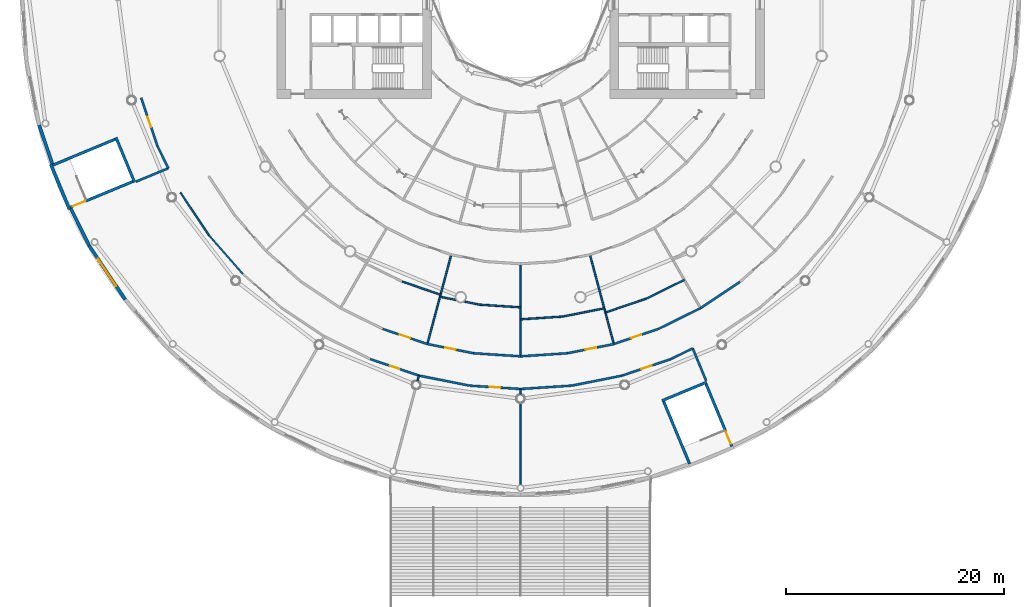
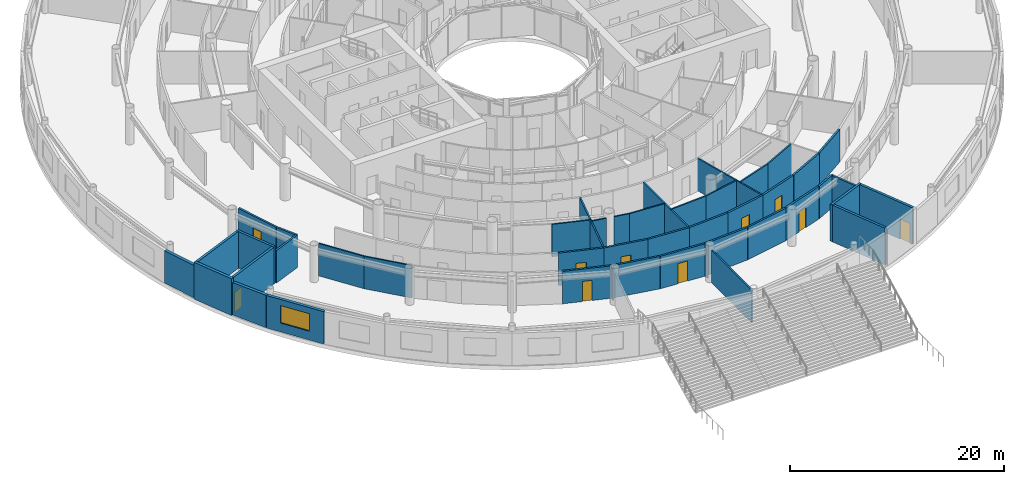
# One storey, part 13 of 29: 45 walls, 10 doors, 1 window, 11 openings.
"""IFC4 building model written with IfcOpenShell, lengths in metres."""

from ifc_helpers import new_model, si_unit, direction, frame, frame_2d, origin, place, context, subcontext, project, spatial, rectangle, extrude, material, layer, layer_set, type_object, element, fill, save


model = new_model("IFC4")

# Units and contexts
model_context = context("Model", 3, precision=1e-05, world=origin(), true_north=direction((0.0, 1.0)))
body_context = subcontext(model_context, "Body", "Model", "MODEL_VIEW")
ifc_project = project(units=[si_unit("LENGTHUNIT", "METRE"), si_unit("AREAUNIT", "SQUARE_METRE"), si_unit("VOLUMEUNIT", "CUBIC_METRE"), si_unit("PLANEANGLEUNIT", "RADIAN"), si_unit("MASSUNIT", "GRAM", prefix="KILO")], contexts=[model_context])

# Site, building, storey
site_placement = place(None, origin())
site = spatial("IfcSite", under=ifc_project, at=site_placement, CompositionType="ELEMENT")
building_placement = place(site_placement, origin())
building = spatial("IfcBuilding", under=site, at=building_placement, Name="Maasbend Ring Residences", CompositionType="ELEMENT")
storey_placement = place(building_placement, frame((0.0, 0.0, 5.39990234375)))
storey = spatial("IfcBuildingStorey", under=building, at=storey_placement, Name="L01", CompositionType="ELEMENT", Elevation=5.39990234375)

# Wall, opening, door
ifc_material_1 = material(Name="Concrete C70/85", Category="concrete")
ifc_layer_1 = layer(ifc_material_1, 0.25)
ifc_layer_set_1 = layer_set([ifc_layer_1], Name="Concrete C70/85")
wall_type_1 = type_object("IfcWallType", Name="CORE WALL 250 C70/85", PredefinedType="SHEAR", material=ifc_layer_set_1)
wall_1_placement = place(storey_placement, frame((19.40966796875, -41.37158203125, 0.0), z_axis=(0.0, 0.0, 1.0), x_axis=(-0.382666023753, 0.923886743203, 0.0)))
wall_1 = element("IfcWall", 1, at=wall_1_placement, inside=storey, type_object=wall_type_1, Name="L01 ST-P2 enclosure wall WS+", PredefinedType="SHEAR", context=body_context, shape_type="SweptSolid", body=[
    extrude(rectangle(XDim=6.4501953125, YDim=0.25, at=frame_2d((3.22509765625, 0.0))), origin(), (0.0, 0.0, 1.0), 4.2001953125),
])
opening_1_placement = place(wall_1_placement, frame((0.25, 0.0, 0.0)))
opening_1 = element("IfcOpeningElement", 2, at=opening_1_placement, cuts=wall_1, Name="Opening D-P201S", PredefinedType="OPENING", context=body_context, shape_type="SweptSolid", body=[
    extrude(rectangle(XDim=1.199951171875, YDim=2.300048828125, at=frame_2d((0.60009765625, 1.14990234375))), frame((0.0, 0.135009765625, 0.0), z_axis=(0.0, -1.0, 0.0), x_axis=(1.0, 0.0, 0.0)), (0.0, 0.0, 1.0), 0.27001953125),
])
ifc_material_2 = material(Name="Steel, powder coated", Category="steel")
door_type_1 = type_object("IfcDoorType", Name="STAIR DOOR 1200 X 2300 FD60", OperationType="NOTDEFINED", PredefinedType="DOOR", material=ifc_material_2)
door_1_placement = place(opening_1_placement, origin())
door_1 = element("IfcDoor", 3, at=door_1_placement, inside=storey, type_object=door_type_1, Name="Stair door ST-P2 L01", OperationType="SINGLE_SWING_RIGHT", OverallHeight=2.300048828125, OverallWidth=1.199951171875, PredefinedType="DOOR", context=body_context, shape_type="SweptSolid", body=[
    extrude(rectangle(XDim=1.199951171875, YDim=2.300048828125, at=frame_2d((0.60009765625, 1.14990234375))), frame((0.0, 0.02490234375, 0.0), z_axis=(0.0, -1.0, 0.0), x_axis=(1.0, 0.0, 0.0)), (0.0, 0.0, 1.0), 0.050048828125),
])
fill(opening_1, door_1)

# Walls
wall_2_placement = place(storey_placement, frame((13.06103515625, -37.019775390625, 0.0), z_axis=(0.0, 0.0, 1.0), x_axis=(0.38267940576, -0.923881200375, 0.0)))
element("IfcWall", 4, at=wall_2_placement, inside=storey, type_object=wall_type_1, Name="L01 ST-P2 enclosure wall WS-", PredefinedType="SHEAR", context=body_context, shape_type="SweptSolid", body=[
    extrude(rectangle(XDim=6.449951171875, YDim=0.25, at=frame_2d((3.22509765625, 0.0))), origin(), (0.0, 0.0, 1.0), 4.2001953125),
])
wall_3_placement = place(storey_placement, frame((12.993408203125, -37.18310546875, 0.0), z_axis=(0.0, 0.0, 1.0), x_axis=(0.923867048273, 0.382713570591, 0.0)))
element("IfcWall", 5, at=wall_3_placement, inside=storey, type_object=wall_type_1, Name="L01 ST-P2 enclosure wall WIN", PredefinedType="SHEAR", context=body_context, shape_type="SweptSolid", body=[
    extrude(rectangle(XDim=4.4501953125, YDim=0.25, at=frame_2d((2.22509765625, 0.0))), origin(), (0.0, 0.0, 1.0), 4.2001953125),
])

# Wall, opening, door
wall_4_placement = place(storey_placement, frame((-41.37158203125, -19.40966796875, 0.0), z_axis=(0.0, 0.0, 1.0), x_axis=(0.923886743203, 0.382666023753, 0.0)))
wall_4 = element("IfcWall", 6, at=wall_4_placement, inside=storey, type_object=wall_type_1, Name="L01 ST-P6 enclosure wall WS+", PredefinedType="SHEAR", context=body_context, shape_type="SweptSolid", body=[
    extrude(rectangle(XDim=6.4501953125, YDim=0.25, at=frame_2d((3.22509765625, 0.0))), origin(), (0.0, 0.0, 1.0), 4.2001953125),
])
opening_2_placement = place(wall_4_placement, frame((0.25, 0.0, 0.0)))
opening_2 = element("IfcOpeningElement", 7, at=opening_2_placement, cuts=wall_4, Name="Opening D-P601S", PredefinedType="OPENING", context=body_context, shape_type="SweptSolid", body=[
    extrude(rectangle(XDim=1.199951171875, YDim=2.300048828125, at=frame_2d((0.60009765625, 1.14990234375))), frame((0.0, 0.135009765625, 0.0), z_axis=(0.0, -1.0, 0.0), x_axis=(1.0, 0.0, 0.0)), (0.0, 0.0, 1.0), 0.27001953125),
])
door_2_placement = place(opening_2_placement, origin())
door_2 = element("IfcDoor", 8, at=door_2_placement, inside=storey, type_object=door_type_1, Name="Stair door ST-P6 L01", OperationType="SINGLE_SWING_RIGHT", OverallHeight=2.300048828125, OverallWidth=1.199951171875, PredefinedType="DOOR", context=body_context, shape_type="SweptSolid", body=[
    extrude(rectangle(XDim=1.199951171875, YDim=2.300048828125, at=frame_2d((0.60009765625, 1.14990234375))), frame((0.0, 0.02490234375, 0.0), z_axis=(0.0, -1.0, 0.0), x_axis=(1.0, 0.0, 0.0)), (0.0, 0.0, 1.0), 0.050048828125),
])
fill(opening_2, door_2)

# Walls
wall_5_placement = place(storey_placement, frame((-37.019775390625, -13.06103515625, 0.0), z_axis=(0.0, 0.0, 1.0), x_axis=(-0.923881200375, -0.38267940576, 0.0)))
element("IfcWall", 9, at=wall_5_placement, inside=storey, type_object=wall_type_1, Name="L01 ST-P6 enclosure wall WS-", PredefinedType="SHEAR", context=body_context, shape_type="SweptSolid", body=[
    extrude(rectangle(XDim=6.449951171875, YDim=0.25, at=frame_2d((3.22509765625, 0.0))), origin(), (0.0, 0.0, 1.0), 4.2001953125),
])
wall_6_placement = place(storey_placement, frame((-37.18310546875, -12.993408203125, 0.0), z_axis=(0.0, 0.0, 1.0), x_axis=(0.382713570591, -0.923867048273, 0.0)))
element("IfcWall", 10, at=wall_6_placement, inside=storey, type_object=wall_type_1, Name="L01 ST-P6 enclosure wall WIN", PredefinedType="SHEAR", context=body_context, shape_type="SweptSolid", body=[
    extrude(rectangle(XDim=4.4501953125, YDim=0.25, at=frame_2d((2.22509765625, 0.0))), origin(), (0.0, 0.0, 1.0), 4.2001953125),
])
ifc_material_3 = material(Name="Concrete C70/85", Category="concrete")
ifc_layer_2 = layer(ifc_material_3, 0.300048828125)
ifc_layer_set_2 = layer_set([ifc_layer_2], Name="Concrete C70/85")
wall_type_2 = type_object("IfcWallType", Name="CORE WALL 300 C70/85", PredefinedType="SHEAR", material=ifc_layer_set_2)
wall_7_placement = place(storey_placement, frame((-43.1650390625, -15.47119140625, 0.0), z_axis=(0.0, 0.0, 1.0), x_axis=(0.382666743194, -0.923886445216, 0.0)))
element("IfcWall", 11, at=wall_7_placement, inside=storey, type_object=wall_type_2, Name="L01 ST-P6 enclosure wall WOUT", PredefinedType="SHEAR", context=body_context, shape_type="SweptSolid", body=[
    extrude(rectangle(XDim=4.449951171875, YDim=0.300048828125, at=frame_2d((2.22509765625, 0.0))), origin(), (0.0, 0.0, 1.0), 4.2001953125),
])

# Wall, opening, door
ifc_material_4 = material(Name="Concrete C30/37", Category="concrete")
ifc_layer_3 = layer(ifc_material_4, 0.199951171875)
ifc_layer_set_3 = layer_set([ifc_layer_3], Name="Concrete C30/37")
wall_type_3 = type_object("IfcWallType", Name="CORRIDOR WALL 200 CONCRETE", PredefinedType="PARTITIONING", material=ifc_layer_set_3)
wall_8_placement = place(storey_placement, frame((-34.8701171875, -9.343017578125, 0.0), z_axis=(0.0, 0.0, 1.0), x_axis=(0.321449493775, -0.946926725229, 0.0)))
wall_8 = element("IfcWall", 12, at=wall_8_placement, inside=storey, type_object=wall_type_3, Name="U-L01-w001", PredefinedType="PARTITIONING", context=body_context, shape_type="SweptSolid", body=[
    extrude(rectangle(XDim=4.72265625, YDim=0.199951171875, at=frame_2d((2.361328125, 0.0))), origin(), (0.0, 0.0, 1.0), 3.7001953125),
])
opening_3_placement = place(wall_8_placement, frame((1.861083984375, 0.0, 0.0)))
opening_3 = element("IfcOpeningElement", 13, at=opening_3_placement, cuts=wall_8, Name="Opening D-0179", PredefinedType="OPENING", context=body_context, shape_type="SweptSolid", body=[
    extrude(rectangle(XDim=1.0, YDim=2.300048828125, at=frame_2d((0.5, 1.14990234375))), frame((0.0, 0.10986328125, 0.0), z_axis=(0.0, -1.0, 0.0), x_axis=(1.0, 0.0, 0.0)), (0.0, 0.0, 1.0), 0.219970703125),
])
ifc_material_5 = material(Name="Timber, painted", Category="wood")
door_type_2 = type_object("IfcDoorType", Name="ROOM DOOR 1000 X 2300", OperationType="NOTDEFINED", PredefinedType="DOOR", material=ifc_material_5)
door_3_placement = place(opening_3_placement, origin())
door_3 = element("IfcDoor", 14, at=door_3_placement, inside=storey, type_object=door_type_2, Name="D-0179", OperationType="SINGLE_SWING_RIGHT", OverallHeight=2.300048828125, OverallWidth=1.0, PredefinedType="DOOR", context=body_context, shape_type="SweptSolid", body=[
    extrude(rectangle(XDim=1.0, YDim=2.300048828125, at=frame_2d((0.5, 1.14990234375))), frame((0.0, 0.02490234375, 0.0), z_axis=(0.0, -1.0, 0.0), x_axis=(1.0, 0.0, 0.0)), (0.0, 0.0, 1.0), 0.050048828125),
])
fill(opening_3, door_3)

# Wall
wall_9_placement = place(storey_placement, frame((-33.35205078125, -13.81494140625, 0.0), z_axis=(0.0, 0.0, 1.0), x_axis=(0.442214065645, -0.896909538441, 0.0)))
element("IfcWall", 15, at=wall_9_placement, inside=storey, type_object=wall_type_3, Name="U-L01-w002", PredefinedType="PARTITIONING", context=body_context, shape_type="SweptSolid", body=[
    extrude(rectangle(XDim=2.22998046875, YDim=0.199951171875, at=frame_2d((1.114990234375, 0.0))), origin(), (0.0, 0.0, 1.0), 3.7001953125),
])

# Wall, opening, door
wall_10_placement = place(storey_placement, frame((-13.81494140625, -33.35205078125, 0.0), z_axis=(0.0, 0.0, 1.0), x_axis=(0.946926725229, -0.321449493775, 0.0)))
wall_10 = element("IfcWall", 16, at=wall_10_placement, inside=storey, type_object=wall_type_3, Name="U-L01-w008", PredefinedType="PARTITIONING", context=body_context, shape_type="SweptSolid", body=[
    extrude(rectangle(XDim=4.72265625, YDim=0.199951171875, at=frame_2d((2.361328125, 0.0))), origin(), (0.0, 0.0, 1.0), 3.7001953125),
])
opening_4_placement = place(wall_10_placement, frame((1.910888671875, 0.0, 0.0)))
opening_4 = element("IfcOpeningElement", 17, at=opening_4_placement, cuts=wall_10, Name="Opening D-0181", PredefinedType="OPENING", context=body_context, shape_type="SweptSolid", body=[
    extrude(rectangle(XDim=0.89990234375, YDim=2.300048828125, at=frame_2d((0.449951171875, 1.14990234375))), frame((0.0, 0.10986328125, 0.0), z_axis=(0.0, -1.0, 0.0), x_axis=(1.0, 0.0, 0.0)), (0.0, 0.0, 1.0), 0.219970703125),
])
ifc_material_6 = material(Name="Steel, fire-rated, painted", Category="steel")
door_type_3 = type_object("IfcDoorType", Name="SERVICE DOOR 900 X 2300 FIRE-RATED", OperationType="NOTDEFINED", PredefinedType="DOOR", material=ifc_material_6)
door_4_placement = place(opening_4_placement, origin())
door_4 = element("IfcDoor", 18, at=door_4_placement, inside=storey, type_object=door_type_3, Name="D-0181", OperationType="SINGLE_SWING_RIGHT", OverallHeight=2.300048828125, OverallWidth=0.89990234375, PredefinedType="DOOR", context=body_context, shape_type="SweptSolid", body=[
    extrude(rectangle(XDim=0.89990234375, YDim=2.300048828125, at=frame_2d((0.449951171875, 1.14990234375))), frame((0.0, 0.02490234375, 0.0), z_axis=(0.0, -1.0, 0.0), x_axis=(1.0, 0.0, 0.0)), (0.0, 0.0, 1.0), 0.050048828125),
])
fill(opening_4, door_4)

# Wall
wall_11_placement = place(storey_placement, frame((-9.343017578125, -34.8701171875, 0.0), z_axis=(0.0, 0.0, 1.0), x_axis=(0.980796841032, -0.195032193809, 0.0)))
element("IfcWall", 19, at=wall_11_placement, inside=storey, type_object=wall_type_3, Name="U-L01-w009", PredefinedType="PARTITIONING", context=body_context, shape_type="SweptSolid", body=[
    extrude(rectangle(XDim=4.7216796875, YDim=0.199951171875, at=frame_2d((2.36083984375, 0.0))), origin(), (0.0, 0.0, 1.0), 3.7001953125),
])

# Wall, opening, door
wall_12_placement = place(storey_placement, frame((-4.7119140625, -35.791015625, 0.0), z_axis=(0.0, 0.0, 1.0), x_axis=(0.997855509942, -0.065455185264, 0.0)))
wall_12 = element("IfcWall", 20, at=wall_12_placement, inside=storey, type_object=wall_type_3, Name="U-L01-w010", PredefinedType="PARTITIONING", context=body_context, shape_type="SweptSolid", body=[
    extrude(rectangle(XDim=4.721923828125, YDim=0.199951171875, at=frame_2d((2.36083984375, 0.0))), origin(), (0.0, 0.0, 1.0), 3.7001953125),
])
opening_5_placement = place(wall_12_placement, frame((1.861083984375, 0.0, 0.0)))
opening_5 = element("IfcOpeningElement", 21, at=opening_5_placement, cuts=wall_12, Name="Opening D-0182", PredefinedType="OPENING", context=body_context, shape_type="SweptSolid", body=[
    extrude(rectangle(XDim=1.0, YDim=2.300048828125, at=frame_2d((0.5, 1.14990234375))), frame((0.0, 0.10986328125, 0.0), z_axis=(0.0, -1.0, 0.0), x_axis=(1.0, 0.0, 0.0)), (0.0, 0.0, 1.0), 0.219970703125),
])
door_5_placement = place(opening_5_placement, origin())
door_5 = element("IfcDoor", 22, at=door_5_placement, inside=storey, type_object=door_type_2, Name="D-0182", OperationType="SINGLE_SWING_RIGHT", OverallHeight=2.300048828125, OverallWidth=1.0, PredefinedType="DOOR", context=body_context, shape_type="SweptSolid", body=[
    extrude(rectangle(XDim=1.0, YDim=2.300048828125, at=frame_2d((0.5, 1.14990234375))), frame((0.0, 0.02490234375, 0.0), z_axis=(0.0, -1.0, 0.0), x_axis=(1.0, 0.0, 0.0)), (0.0, 0.0, 1.0), 0.050048828125),
])
fill(opening_5, door_5)

# Walls
wall_13_placement = place(storey_placement, frame((0.0, -36.10009765625, 0.0), z_axis=(0.0, 0.0, 1.0), x_axis=(0.997855509942, 0.065455185264, 0.0)))
element("IfcWall", 23, at=wall_13_placement, inside=storey, type_object=wall_type_3, Name="U-L01-w011", PredefinedType="PARTITIONING", context=body_context, shape_type="SweptSolid", body=[
    extrude(rectangle(XDim=4.721923828125, YDim=0.199951171875, at=frame_2d((2.36083984375, 0.0))), origin(), (0.0, 0.0, 1.0), 3.7001953125),
])
wall_14_placement = place(storey_placement, frame((4.7119140625, -35.791015625, 0.0), z_axis=(0.0, 0.0, 1.0), x_axis=(0.980796841032, 0.195032193809, 0.0)))
element("IfcWall", 24, at=wall_14_placement, inside=storey, type_object=wall_type_3, Name="U-L01-w012", PredefinedType="PARTITIONING", context=body_context, shape_type="SweptSolid", body=[
    extrude(rectangle(XDim=4.7216796875, YDim=0.199951171875, at=frame_2d((2.36083984375, 0.0))), origin(), (0.0, 0.0, 1.0), 3.7001953125),
])

# Wall, opening, door
wall_15_placement = place(storey_placement, frame((9.343017578125, -34.8701171875, 0.0), z_axis=(0.0, 0.0, 1.0), x_axis=(0.946926725229, 0.321449493775, 0.0)))
wall_15 = element("IfcWall", 25, at=wall_15_placement, inside=storey, type_object=wall_type_3, Name="U-L01-w013", PredefinedType="PARTITIONING", context=body_context, shape_type="SweptSolid", body=[
    extrude(rectangle(XDim=4.72265625, YDim=0.199951171875, at=frame_2d((2.361328125, 0.0))), origin(), (0.0, 0.0, 1.0), 3.7001953125),
])
opening_6_placement = place(wall_15_placement, frame((1.861083984375, 0.0, 0.0)))
opening_6 = element("IfcOpeningElement", 26, at=opening_6_placement, cuts=wall_15, Name="Opening D-0183", PredefinedType="OPENING", context=body_context, shape_type="SweptSolid", body=[
    extrude(rectangle(XDim=1.0, YDim=2.300048828125, at=frame_2d((0.5, 1.14990234375))), frame((0.0, 0.10986328125, 0.0), z_axis=(0.0, -1.0, 0.0), x_axis=(1.0, 0.0, 0.0)), (0.0, 0.0, 1.0), 0.219970703125),
])
door_6_placement = place(opening_6_placement, origin())
door_6 = element("IfcDoor", 27, at=door_6_placement, inside=storey, type_object=door_type_2, Name="D-0183", OperationType="SINGLE_SWING_RIGHT", OverallHeight=2.300048828125, OverallWidth=1.0, PredefinedType="DOOR", context=body_context, shape_type="SweptSolid", body=[
    extrude(rectangle(XDim=1.0, YDim=2.300048828125, at=frame_2d((0.5, 1.14990234375))), frame((0.0, 0.02490234375, 0.0), z_axis=(0.0, -1.0, 0.0), x_axis=(1.0, 0.0, 0.0)), (0.0, 0.0, 1.0), 0.050048828125),
])
fill(opening_6, door_6)

# Wall
wall_16_placement = place(storey_placement, frame((13.81494140625, -33.35205078125, 0.0), z_axis=(0.0, 0.0, 1.0), x_axis=(0.896909538441, 0.442214065645, 0.0)))
element("IfcWall", 28, at=wall_16_placement, inside=storey, type_object=wall_type_3, Name="U-L01-w014", PredefinedType="PARTITIONING", context=body_context, shape_type="SweptSolid", body=[
    extrude(rectangle(XDim=2.22998046875, YDim=0.199951171875, at=frame_2d((1.114990234375, 0.0))), origin(), (0.0, 0.0, 1.0), 3.7001953125),
])

# Wall, opening, door
wall_17_placement = place(storey_placement, frame((-12.6669921875, -30.580078125, 0.0), z_axis=(0.0, 0.0, 1.0), x_axis=(0.946926608104, -0.3214498388, 0.0)))
wall_17 = element("IfcWall", 29, at=wall_17_placement, inside=storey, type_object=wall_type_3, Name="U-L01-w028", PredefinedType="PARTITIONING", context=body_context, shape_type="SweptSolid", body=[
    extrude(rectangle(XDim=4.329833984375, YDim=0.199951171875, at=frame_2d((2.1650390625, 0.0))), origin(), (0.0, 0.0, 1.0), 3.7001953125),
])
opening_7_placement = place(wall_17_placement, frame((1.6650390625, 0.0, 0.0)))
opening_7 = element("IfcOpeningElement", 30, at=opening_7_placement, cuts=wall_17, Name="Opening D-0159", PredefinedType="OPENING", context=body_context, shape_type="SweptSolid", body=[
    extrude(rectangle(XDim=1.0, YDim=2.300048828125, at=frame_2d((0.5, 1.14990234375))), frame((0.0, 0.10986328125, 0.0), z_axis=(0.0, -1.0, 0.0), x_axis=(1.0, 0.0, 0.0)), (0.0, 0.0, 1.0), 0.219970703125),
])
door_7_placement = place(opening_7_placement, origin())
door_7 = element("IfcDoor", 31, at=door_7_placement, inside=storey, type_object=door_type_2, Name="D-0159", OperationType="SINGLE_SWING_LEFT", OverallHeight=2.300048828125, OverallWidth=1.0, PredefinedType="DOOR", context=body_context, shape_type="SweptSolid", body=[
    extrude(rectangle(XDim=1.0, YDim=2.300048828125, at=frame_2d((0.5, 1.14990234375))), frame((0.0, 0.02490234375, 0.0), z_axis=(0.0, -1.0, 0.0), x_axis=(1.0, 0.0, 0.0)), (0.0, 0.0, 1.0), 0.050048828125),
])
fill(opening_7, door_7)

wall_18_placement = place(storey_placement, frame((-8.56689453125, -31.971923828125, 0.0), z_axis=(0.0, 0.0, 1.0), x_axis=(0.980775360662, -0.195140185298, 0.0)))
wall_18 = element("IfcWall", 32, at=wall_18_placement, inside=storey, type_object=wall_type_3, Name="U-L01-w029", PredefinedType="PARTITIONING", context=body_context, shape_type="SweptSolid", body=[
    extrude(rectangle(XDim=4.330078125, YDim=0.199951171875, at=frame_2d((2.1650390625, 0.0))), origin(), (0.0, 0.0, 1.0), 3.7001953125),
])
opening_8_placement = place(wall_18_placement, frame((1.6650390625, 0.0, 0.0)))
opening_8 = element("IfcOpeningElement", 33, at=opening_8_placement, cuts=wall_18, Name="Opening D-0161", PredefinedType="OPENING", context=body_context, shape_type="SweptSolid", body=[
    extrude(rectangle(XDim=1.0, YDim=2.300048828125, at=frame_2d((0.5, 1.14990234375))), frame((0.0, 0.10986328125, 0.0), z_axis=(0.0, -1.0, 0.0), x_axis=(1.0, 0.0, 0.0)), (0.0, 0.0, 1.0), 0.219970703125),
])
door_8_placement = place(opening_8_placement, origin())
door_8 = element("IfcDoor", 34, at=door_8_placement, inside=storey, type_object=door_type_2, Name="D-0161", OperationType="SINGLE_SWING_LEFT", OverallHeight=2.300048828125, OverallWidth=1.0, PredefinedType="DOOR", context=body_context, shape_type="SweptSolid", body=[
    extrude(rectangle(XDim=1.0, YDim=2.300048828125, at=frame_2d((0.5, 1.14990234375))), frame((0.0, 0.02490234375, 0.0), z_axis=(0.0, -1.0, 0.0), x_axis=(1.0, 0.0, 0.0)), (0.0, 0.0, 1.0), 0.050048828125),
])
fill(opening_8, door_8)

# Walls
for number, where, z_axis, x_axis, name in (
    (35, (-4.320068359375, -32.81689453125, 0.0), (0.0, 0.0, 1.0), (0.997858156097, -0.065414832499, 0.0), "U-L01-w030"),
    (36, (0.0, -33.10009765625, 0.0), (0.0, 0.0, 1.0), (0.997858156097, 0.065414832499, 0.0), "U-L01-w031"),
):
    element("IfcWall", number, at=place(storey_placement, frame(where, z_axis=z_axis, x_axis=x_axis)), inside=storey, type_object=wall_type_3, Name=name, PredefinedType="PARTITIONING", context=body_context, shape_type="SweptSolid", body=[
        extrude(rectangle(XDim=4.329345703125, YDim=0.199951171875, at=frame_2d((2.16455078125, 0.0))), origin(), (0.0, 0.0, 1.0), 3.7001953125),
    ])

# Wall, opening, door
wall_19_placement = place(storey_placement, frame((4.320068359375, -32.81689453125, 0.0), z_axis=(0.0, 0.0, 1.0), x_axis=(0.980775360662, 0.195140185298, 0.0)))
wall_19 = element("IfcWall", 37, at=wall_19_placement, inside=storey, type_object=wall_type_3, Name="U-L01-w032", PredefinedType="PARTITIONING", context=body_context, shape_type="SweptSolid", body=[
    extrude(rectangle(XDim=4.330078125, YDim=0.199951171875, at=frame_2d((2.1650390625, 0.0))), origin(), (0.0, 0.0, 1.0), 3.7001953125),
])
opening_9_placement = place(wall_19_placement, frame((1.6650390625, 0.0, 0.0)))
opening_9 = element("IfcOpeningElement", 38, at=opening_9_placement, cuts=wall_19, Name="Opening D-0163", PredefinedType="OPENING", context=body_context, shape_type="SweptSolid", body=[
    extrude(rectangle(XDim=1.0, YDim=2.300048828125, at=frame_2d((0.5, 1.14990234375))), frame((0.0, 0.10986328125, 0.0), z_axis=(0.0, -1.0, 0.0), x_axis=(1.0, 0.0, 0.0)), (0.0, 0.0, 1.0), 0.219970703125),
])
door_9_placement = place(opening_9_placement, origin())
door_9 = element("IfcDoor", 39, at=door_9_placement, inside=storey, type_object=door_type_2, Name="D-0163", OperationType="SINGLE_SWING_RIGHT", OverallHeight=2.300048828125, OverallWidth=1.0, PredefinedType="DOOR", context=body_context, shape_type="SweptSolid", body=[
    extrude(rectangle(XDim=1.0, YDim=2.300048828125, at=frame_2d((0.5, 1.14990234375))), frame((0.0, 0.02490234375, 0.0), z_axis=(0.0, -1.0, 0.0), x_axis=(1.0, 0.0, 0.0)), (0.0, 0.0, 1.0), 0.050048828125),
])
fill(opening_9, door_9)

wall_20_placement = place(storey_placement, frame((8.56689453125, -31.971923828125, 0.0), z_axis=(0.0, 0.0, 1.0), x_axis=(0.946926608104, 0.3214498388, 0.0)))
wall_20 = element("IfcWall", 40, at=wall_20_placement, inside=storey, type_object=wall_type_3, Name="U-L01-w033", PredefinedType="PARTITIONING", context=body_context, shape_type="SweptSolid", body=[
    extrude(rectangle(XDim=4.329833984375, YDim=0.199951171875, at=frame_2d((2.1650390625, 0.0))), origin(), (0.0, 0.0, 1.0), 3.7001953125),
])
opening_10_placement = place(wall_20_placement, frame((1.6650390625, 0.0, 0.0)))
opening_10 = element("IfcOpeningElement", 41, at=opening_10_placement, cuts=wall_20, Name="Opening D-0165", PredefinedType="OPENING", context=body_context, shape_type="SweptSolid", body=[
    extrude(rectangle(XDim=1.0, YDim=2.300048828125, at=frame_2d((0.5, 1.14990234375))), frame((0.0, 0.10986328125, 0.0), z_axis=(0.0, -1.0, 0.0), x_axis=(1.0, 0.0, 0.0)), (0.0, 0.0, 1.0), 0.219970703125),
])
door_10_placement = place(opening_10_placement, origin())
door_10 = element("IfcDoor", 42, at=door_10_placement, inside=storey, type_object=door_type_2, Name="D-0165", OperationType="SINGLE_SWING_RIGHT", OverallHeight=2.300048828125, OverallWidth=1.0, PredefinedType="DOOR", context=body_context, shape_type="SweptSolid", body=[
    extrude(rectangle(XDim=1.0, YDim=2.300048828125, at=frame_2d((0.5, 1.14990234375))), frame((0.0, 0.02490234375, 0.0), z_axis=(0.0, -1.0, 0.0), x_axis=(1.0, 0.0, 0.0)), (0.0, 0.0, 1.0), 0.050048828125),
])
fill(opening_10, door_10)

# Walls
wall_21_placement = place(storey_placement, frame((12.6669921875, -30.580078125, 0.0), z_axis=(0.0, 0.0, 1.0), x_axis=(0.89686106512, 0.442312366853, 0.0)))
element("IfcWall", 43, at=wall_21_placement, inside=storey, type_object=wall_type_3, Name="U-L01-w034", PredefinedType="PARTITIONING", context=body_context, shape_type="SweptSolid", body=[
    extrude(rectangle(XDim=4.32958984375, YDim=0.199951171875, at=frame_2d((2.164794921875, 0.0))), origin(), (0.0, 0.0, 1.0), 3.7001953125),
])
wall_22_placement = place(storey_placement, frame((16.550048828125, -28.6650390625, 0.0), z_axis=(0.0, 0.0, 1.0), x_axis=(0.831503319646, 0.555519783102, 0.0)))
element("IfcWall", 44, at=wall_22_placement, inside=storey, type_object=wall_type_3, Name="U-L01-w035", PredefinedType="PARTITIONING", context=body_context, shape_type="SweptSolid", body=[
    extrude(rectangle(XDim=4.329345703125, YDim=0.199951171875, at=frame_2d((2.16455078125, 0.0))), origin(), (0.0, 0.0, 1.0), 3.7001953125),
])
for number, where, z_axis, x_axis, name in (
    (45, (-35.345947265625, -17.049072265625, 0.0), (0.0, 0.0, 1.0), (0.923903368196, 0.382625882863, 0.0), "U-L01-w123"),
    (46, (15.81494140625, -32.365966796875, 0.0), (0.0, 0.0, 1.0), (0.382625882863, -0.923903368196, 0.0), "U-L01-w189"),
):
    element("IfcWall", number, at=place(storey_placement, frame(where, z_axis=z_axis, x_axis=x_axis)), inside=storey, type_object=wall_type_3, Name=name, PredefinedType="PARTITIONING", context=body_context, shape_type="SweptSolid", body=[
        extrude(rectangle(XDim=3.225341796875, YDim=0.199951171875, at=frame_2d((1.61279296875, 0.0))), origin(), (0.0, 0.0, 1.0), 3.7001953125),
    ])
ifc_material_7 = material(Name="Pale anodised aluminium panel", Category="aluminium")
ifc_layer_4 = layer(ifc_material_7, 0.300048828125)
ifc_layer_set_4 = layer_set([ifc_layer_4], Name="EW-BASE")
wall_type_4 = type_object("IfcWallType", Name="EW-BASE", PredefinedType="SOLIDWALL", material=ifc_layer_set_4)
wall_23_placement = place(storey_placement, frame((-44.239013671875, -11.85400390625, 0.0), z_axis=(0.0, 0.0, 1.0), x_axis=(0.321481387979, -0.946915897629, 0.0)))
element("IfcWall", 47, at=wall_23_placement, inside=storey, type_object=wall_type_4, Name="Base block wall 27a", PredefinedType="SOLIDWALL", context=body_context, shape_type="SweptSolid", body=[
    extrude(rectangle(XDim=3.7607421875, YDim=0.300048828125, at=frame_2d((1.88037109375, 0.0))), origin(), (0.0, 0.0, 1.0), 3.7001953125),
])
wall_24_placement = place(storey_placement, frame((-41.326904296875, -19.527099609375, 0.0), z_axis=(0.0, 0.0, 1.0), x_axis=(0.44219447383, -0.896919197762, 0.0)))
element("IfcWall", 48, at=wall_24_placement, inside=storey, type_object=wall_type_4, Name="Base block wall 28a", PredefinedType="SOLIDWALL", context=body_context, shape_type="SweptSolid", body=[
    extrude(rectangle(XDim=3.760498046875, YDim=0.300048828125, at=frame_2d((1.88037109375, 0.0))), origin(), (0.0, 0.0, 1.0), 3.7001953125),
])

# Wall, opening, window
wall_25_placement = place(storey_placement, frame((-39.6640625, -22.89990234375, 0.0), z_axis=(0.0, 0.0, 1.0), x_axis=(0.55554631985, -0.831485590074, 0.0)))
wall_25 = element("IfcWall", 49, at=wall_25_placement, inside=storey, type_object=wall_type_4, Name="Base block wall 29", PredefinedType="SOLIDWALL", context=body_context, shape_type="SweptSolid", body=[
    extrude(rectangle(XDim=5.99072265625, YDim=0.300048828125, at=frame_2d((2.995361328125, 0.0))), origin(), (0.0, 0.0, 1.0), 3.7001953125),
])
opening_11_placement = place(wall_25_placement, frame((1.495361328125, 0.0, 1.0)))
opening_11 = element("IfcOpeningElement", 50, at=opening_11_placement, cuts=wall_25, Name="Opening W-PB", PredefinedType="OPENING", context=body_context, shape_type="SweptSolid", body=[
    extrude(rectangle(XDim=3.0, YDim=2.0, at=frame_2d((1.5, 1.0))), frame((0.0, 0.16015625, 0.0), z_axis=(0.0, -1.0, 0.0), x_axis=(1.0, 0.0, 0.0)), (0.0, 0.0, 1.0), 0.320068359375),
])
ifc_material_8 = material(Name="Aluminium and clear glass", Category="aluminium")
window_type = type_object("IfcWindowType", Name="W-PB", PartitioningType="SINGLE_PANEL", PredefinedType="WINDOW", material=ifc_material_8)
window_placement = place(opening_11_placement, origin())
window = element("IfcWindow", 51, at=window_placement, inside=storey, type_object=window_type, Name="Base block window 29", OverallHeight=2.0, OverallWidth=3.0, PartitioningType="SINGLE_PANEL", PredefinedType="WINDOW", context=body_context, shape_type="SweptSolid", body=[
    extrude(rectangle(XDim=3.0, YDim=2.0, at=frame_2d((1.5, 1.0))), frame((0.0, 0.030029296875, 0.0), z_axis=(0.0, -1.0, 0.0), x_axis=(1.0, 0.0, 0.0)), (0.0, 0.0, 1.0), 0.06005859375),
])
fill(opening_11, window)

# Walls
ifc_material_9 = material(Name="Gypsum board on steel studs", Category="steel")
ifc_layer_5 = layer(ifc_material_9, 0.14990234375)
ifc_layer_set_5 = layer_set([ifc_layer_5], Name="PARTITION 150 GYPSUM")
wall_type_5 = type_object("IfcWallType", Name="PARTITION 150 GYPSUM", PredefinedType="PARTITIONING", material=ifc_layer_set_5)
for number, where, z_axis, x_axis, name in (
    (52, (-31.263916015625, -18.050048828125, 0.0), (0.0, 0.0, 1.0), (0.555678147384, -0.831397496099, 0.0), "U-L01-w003"),
    (53, (-28.639892578125, -21.97607421875, 0.0), (0.0, 0.0, 1.0), (0.659181480716, -0.751983893099, 0.0), "U-L01-w004"),
):
    element("IfcWall", number, at=place(storey_placement, frame(where, z_axis=z_axis, x_axis=x_axis)), inside=storey, type_object=wall_type_5, Name=name, PredefinedType="PARTITIONING", context=body_context, shape_type="SweptSolid", body=[
        extrude(rectangle(XDim=4.72216796875, YDim=0.14990234375, at=frame_2d((2.361083984375, 0.0))), origin(), (0.0, 0.0, 1.0), 3.7001953125),
    ])
wall_26_placement = place(storey_placement, frame((7.7900390625, -29.073974609375, 0.0), z_axis=(0.0, 0.0, 1.0), x_axis=(0.947002278332, 0.321226843265, 0.0)))
element("IfcWall", 54, at=wall_26_placement, inside=storey, type_object=wall_type_5, Name="U-L01-w039", PredefinedType="PARTITIONING", context=body_context, shape_type="SweptSolid", body=[
    extrude(rectangle(XDim=3.937744140625, YDim=0.14990234375, at=frame_2d((1.96875, 0.0))), origin(), (0.0, 0.0, 1.0), 3.7001953125),
])
wall_27_placement = place(storey_placement, frame((11.51904296875, -27.80908203125, 0.0), z_axis=(0.0, 0.0, 1.0), x_axis=(0.896783249967, 0.442470114898, 0.0)))
element("IfcWall", 55, at=wall_27_placement, inside=storey, type_object=wall_type_5, Name="U-L01-w040", PredefinedType="PARTITIONING", context=body_context, shape_type="SweptSolid", body=[
    extrude(rectangle(XDim=3.9375, YDim=0.14990234375, at=frame_2d((1.96875, 0.0))), origin(), (0.0, 0.0, 1.0), 3.7001953125),
])
wall_28_placement = place(storey_placement, frame((0.0, -29.699951171875, 0.0), z_axis=(0.0, 0.0, 1.0), x_axis=(0.997862326478, 0.065351185109, 0.0)))
element("IfcWall", 56, at=wall_28_placement, inside=storey, type_object=wall_type_5, Name="U-L01-w043", PredefinedType="PARTITIONING", context=body_context, shape_type="SweptSolid", body=[
    extrude(rectangle(XDim=3.88525390625, YDim=0.14990234375, at=frame_2d((1.942626953125, 0.0))), origin(), (0.0, 0.0, 1.0), 3.7001953125),
])
wall_29_placement = place(storey_placement, frame((3.876953125, -29.446044921875, 0.0), z_axis=(0.0, 0.0, 1.0), x_axis=(0.980775976752, 0.1951370888, 0.0)))
element("IfcWall", 57, at=wall_29_placement, inside=storey, type_object=wall_type_5, Name="U-L01-w044", PredefinedType="PARTITIONING", context=body_context, shape_type="SweptSolid", body=[
    extrude(rectangle(XDim=3.884765625, YDim=0.14990234375, at=frame_2d((1.9423828125, 0.0))), origin(), (0.0, 0.0, 1.0), 3.7001953125),
])
for number, where, z_axis, x_axis, name in (
    (58, (-7.402099609375, -27.625, 0.0), (0.0, 0.0, 1.0), (0.980717780165, -0.19542936235, 0.0), "U-L01-w045"),
    (59, (-5.2080078125, -28.06103515625, 0.0), (0.0, 0.0, 1.0), (0.980717780165, -0.19542936235, 0.0), "U-L01-w046"),
):
    element("IfcWall", number, at=place(storey_placement, frame(where, z_axis=z_axis, x_axis=x_axis)), inside=storey, type_object=wall_type_5, Name=name, PredefinedType="PARTITIONING", context=body_context, shape_type="SweptSolid", body=[
        extrude(rectangle(XDim=1.504150390625, YDim=0.14990234375, at=frame_2d((0.751953125, 0.0))), origin(), (0.0, 0.0, 1.0), 3.7001953125),
    ])
wall_30_placement = place(storey_placement, frame((-3.73291015625, -28.35498046875, 0.0), z_axis=(0.0, 0.0, 1.0), x_axis=(0.99785107725, -0.065522726067, 0.0)))
element("IfcWall", 60, at=wall_30_placement, inside=storey, type_object=wall_type_5, Name="U-L01-w047", PredefinedType="PARTITIONING", context=body_context, shape_type="SweptSolid", body=[
    extrude(rectangle(XDim=3.740966796875, YDim=0.14990234375, at=frame_2d((1.87060546875, 0.0))), origin(), (0.0, 0.0, 1.0), 3.7001953125),
])
wall_31_placement = place(storey_placement, frame((-10.867919921875, -26.238037109375, 0.0), z_axis=(0.0, 0.0, 1.0), x_axis=(0.946954059719, -0.321368960513, 0.0)))
element("IfcWall", 61, at=wall_31_placement, inside=storey, type_object=wall_type_5, Name="U-L01-w049", PredefinedType="PARTITIONING", context=body_context, shape_type="SweptSolid", body=[
    extrude(rectangle(XDim=3.71484375, YDim=0.14990234375, at=frame_2d((1.857421875, 0.0))), origin(), (0.0, 0.0, 1.0), 3.7001953125),
])
wall_32_placement = place(storey_placement, frame((6.365966796875, -23.761962890625, 0.0), z_axis=(0.0, 0.0, 1.0), x_axis=(0.258937080207, -0.965894191148, 0.0)))
element("IfcWall", 62, at=wall_32_placement, inside=storey, type_object=wall_type_5, Name="U-L01-w131", PredefinedType="PARTITIONING", context=body_context, shape_type="SweptSolid", body=[
    extrude(rectangle(XDim=8.499755859375, YDim=0.14990234375, at=frame_2d((4.25, 0.0))), origin(), (0.0, 0.0, 1.0), 3.7001953125),
])
wall_33_placement = place(storey_placement, frame((-9.472900390625, -35.35302734375, 0.0), z_axis=(0.0, 0.0, 1.0), x_axis=(0.257905858031, 0.966170051488, 0.0)))
element("IfcWall", 63, at=wall_33_placement, inside=storey, type_object=wall_type_5, Name="U-L01-w149", PredefinedType="PARTITIONING", context=body_context, shape_type="SweptSolid", body=[
    extrude(rectangle(XDim=0.499755859375, YDim=0.14990234375, at=frame_2d((0.25, 0.0))), origin(), (0.0, 0.0, 1.0), 3.7001953125),
])
wall_34_placement = place(storey_placement, frame((-8.56689453125, -31.971923828125, 0.0), z_axis=(0.0, 0.0, 1.0), x_axis=(0.258937080207, 0.965894191148, 0.0)))
element("IfcWall", 64, at=wall_34_placement, inside=storey, type_object=wall_type_5, Name="U-L01-w151", PredefinedType="PARTITIONING", context=body_context, shape_type="SweptSolid", body=[
    extrude(rectangle(XDim=8.499755859375, YDim=0.14990234375, at=frame_2d((4.25, 0.0))), origin(), (0.0, 0.0, 1.0), 3.7001953125),
])
wall_35_placement = place(storey_placement, frame((0.0, -44.89501953125, 0.0), z_axis=(0.0, 0.0, 1.0), x_axis=(0.0, 1.0, 0.0)))
element("IfcWall", 65, at=wall_35_placement, inside=storey, type_object=wall_type_5, Name="U-L01-w156", PredefinedType="PARTITIONING", context=body_context, shape_type="SweptSolid", body=[
    extrude(rectangle(XDim=7.488037109375, YDim=0.14990234375, at=frame_2d((3.744140625, 0.0))), origin(), (0.0, 0.0, 1.0), 3.7001953125),
])
wall_36_placement = place(storey_placement, frame((0.0, -36.593017578125, 0.0), z_axis=(0.0, 0.0, 1.0), x_axis=(0.0, 1.0, 0.0)))
element("IfcWall", 66, at=wall_36_placement, inside=storey, type_object=wall_type_5, Name="U-L01-w157", PredefinedType="PARTITIONING", context=body_context, shape_type="SweptSolid", body=[
    extrude(rectangle(XDim=0.492919921875, YDim=0.14990234375, at=frame_2d((0.24658203125, 0.0))), origin(), (0.0, 0.0, 1.0), 3.7001953125),
])
wall_37_placement = place(storey_placement, frame((0.0, -33.10009765625, 0.0), z_axis=(0.0, 0.0, 1.0), x_axis=(0.0, 1.0, 0.0)))
element("IfcWall", 67, at=wall_37_placement, inside=storey, type_object=wall_type_5, Name="U-L01-w158", PredefinedType="PARTITIONING", context=body_context, shape_type="SweptSolid", body=[
    extrude(rectangle(XDim=8.5, YDim=0.14990234375, at=frame_2d((4.25, 0.0))), origin(), (0.0, 0.0, 1.0), 3.7001953125),
])

save(model, "model.ifc")
